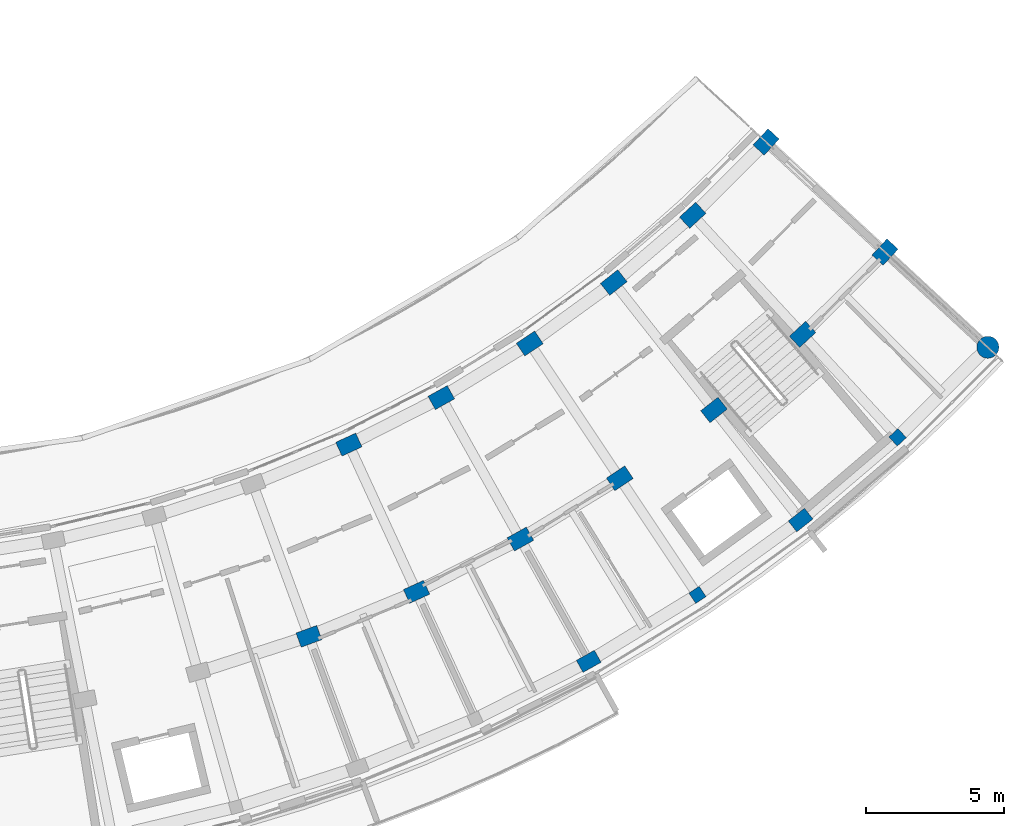
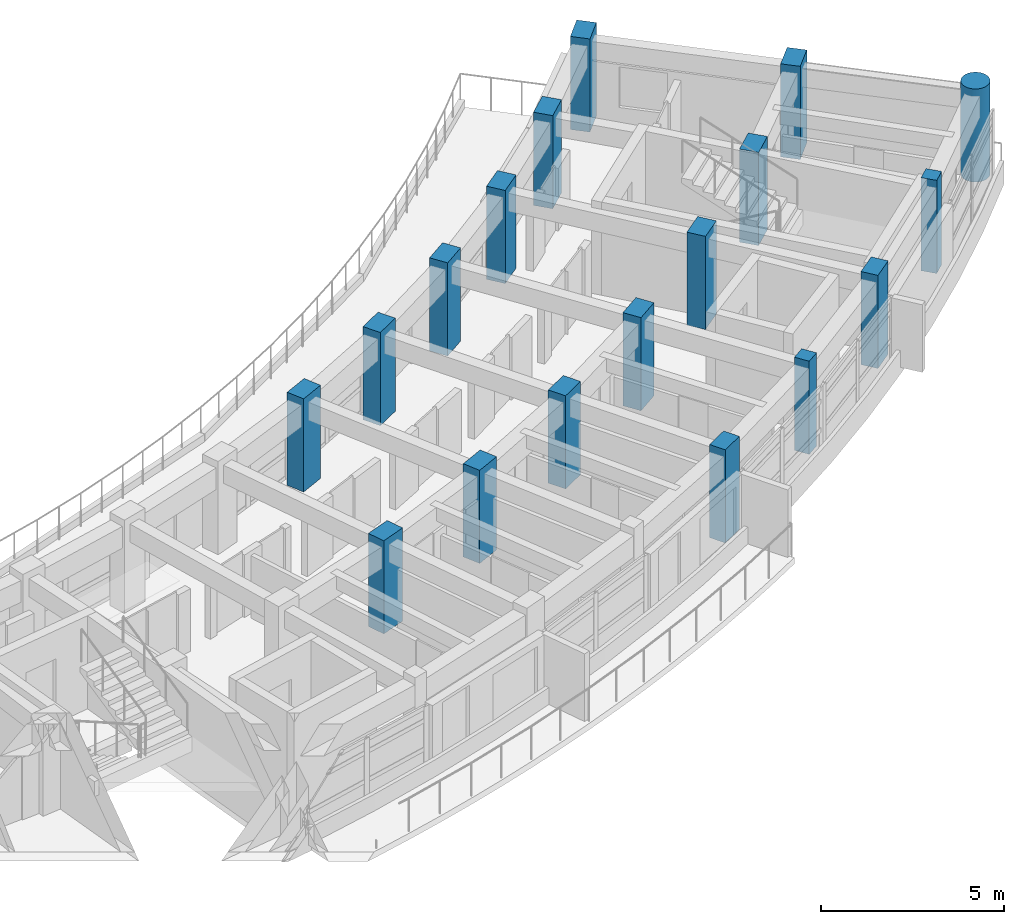
# One storey, part 2 of 54: 18 columns.
"""IFC4 building model written with IfcOpenShell, lengths in metres."""

import ifcopenshell
import ifcopenshell.guid

model = None  # the IFC model being written
_history = None  # IfcOwnerHistory: only IFC2X3 demands one
_inside = {}  # id of a spatial element -> (the spatial element, [elements in it])
_under = {}  # id of a project, library or spatial element -> (it, [spatial elements below it])
_declared = {}  # id of a project -> (the project, [libraries it declares])
_typed = {}  # id of a type object -> (the type object, [elements of that type])
_made_of = {}  # id of a material, layer set ... -> (it, [elements and type objects made of it])


def new_model(schema):
    """Start an empty IFC model of exactly this schema.

    Asked for "IFC4X3", IfcOpenShell would pick the latest addendum, in which some entities
    have other attributes; the version numbers below select the first issue.
    IFC2X3 requires an IfcOwnerHistory on every rooted entity: one is made here for all.
    """
    global model, _history
    if schema == "IFC4X3":
        model = ifcopenshell.file(schema_version=(4, 3, 0, 0))
    else:
        model = ifcopenshell.file(schema=schema)
    _inside.clear()
    _under.clear()
    _declared.clear()
    _typed.clear()
    _made_of.clear()
    _history = None
    if model.schema == "IFC2X3":
        org = make("IfcOrganization", Name="unknown")
        user = make(
            "IfcPersonAndOrganization",
            ThePerson=make("IfcPerson", FamilyName="unknown"),
            TheOrganization=org,
        )
        app = make(
            "IfcApplication",
            ApplicationDeveloper=org,
            Version="unknown",
            ApplicationFullName="unknown",
            ApplicationIdentifier="unknown",
        )
        _history = make(
            "IfcOwnerHistory",
            OwningUser=user,
            OwningApplication=app,
            ChangeAction="ADDED",
            CreationDate=0,
        )
    return model


def make(cls, **values):
    """One entity of the class cls with the attributes given. An attribute that is None is left unset."""
    return model.create_entity(
        cls, **{name: value for name, value in values.items() if value is not None}
    )


def rooted(cls, **values):
    """An entity with a GlobalId (a new one), such as an element, a storey or a relation."""
    return make(cls, GlobalId=ifcopenshell.guid.new(), OwnerHistory=_history, **values)


def si_unit(unit_type, name, prefix=None):
    """IfcSIUnit, for example si_unit("LENGTHUNIT", "METRE", prefix="MILLI")."""
    return make("IfcSIUnit", UnitType=unit_type, Prefix=prefix, Name=name)


def assignment(units):
    """IfcUnitAssignment: the units of a project."""
    return None if units is None else make("IfcUnitAssignment", Units=units)


def point(xyz):
    """IfcCartesianPoint."""
    return None if xyz is None else make("IfcCartesianPoint", Coordinates=xyz)


def direction(xyz):
    """IfcDirection."""
    return None if xyz is None else make("IfcDirection", DirectionRatios=xyz)


def frame(location, z_axis=None, x_axis=None):
    """IfcAxis2Placement3D, a coordinate frame: its origin and axes. An axis left out is left unset."""
    return make(
        "IfcAxis2Placement3D",
        Location=point(location),
        Axis=direction(z_axis),
        RefDirection=direction(x_axis),
    )


def frame_2d(location, x_axis=None):
    """IfcAxis2Placement2D, a coordinate frame in the plane: its origin and x axis."""
    return make(
        "IfcAxis2Placement2D", Location=point(location), RefDirection=direction(x_axis)
    )


def origin():
    """The frame at (0, 0, 0) with its axes left unset."""
    return frame((0.0, 0.0, 0.0))


def origin_2d():
    """The frame at (0, 0) in the plane with its x axis left unset."""
    return frame_2d((0.0, 0.0))


def place(relative_to, where):
    """IfcLocalPlacement: puts the frame where relative to a parent placement (None: the world)."""
    return make(
        "IfcLocalPlacement", PlacementRelTo=relative_to, RelativePlacement=where
    )


def context(
    kind, dimensions, precision=None, world=None, true_north=None, identifier=None
):
    """IfcGeometricRepresentationContext, for example the 3D "Model" context."""
    return make(
        "IfcGeometricRepresentationContext",
        ContextIdentifier=identifier,
        ContextType=kind,
        CoordinateSpaceDimension=dimensions,
        Precision=precision,
        WorldCoordinateSystem=world,
        TrueNorth=true_north,
    )


def subcontext(parent, identifier, kind, view, scale=None):
    """IfcGeometricRepresentationSubContext, for example "Body" below "Model"."""
    return make(
        "IfcGeometricRepresentationSubContext",
        ContextIdentifier=identifier,
        ContextType=kind,
        ParentContext=parent,
        TargetScale=scale,
        TargetView=view,
    )


def project(units=None, contexts=None):
    """IfcProject with its units and contexts."""
    return rooted(
        "IfcProject",
        Name="project",
        RepresentationContexts=contexts,
        UnitsInContext=assignment(units),
    )


def spatial(cls, under=None, at=None, **own):
    """A site, building, storey or space (cls), placed at a placement, below another one or the project."""
    s = rooted(cls, ObjectPlacement=at, **own)
    if under is not None:
        _under.setdefault(under.id(), (under, []))[1].append(s)
    return s


def profile(cls, at=None, kind="AREA", **sizes):
    """A parametric profile (cls). Its sizes go by their IFC names, for example OverallWidth=200.0."""
    return make(cls, ProfileType=kind, Position=at, **sizes)


def rectangle(**sizes):
    """IfcRectangleProfileDef."""
    return profile("IfcRectangleProfileDef", **sizes)


def circle(**sizes):
    """IfcCircleProfileDef."""
    return profile("IfcCircleProfileDef", **sizes)


def extrude(swept, where, along, depth):
    """IfcExtrudedAreaSolid: the profile swept, set in the frame where, extruded along a direction by depth."""
    return make(
        "IfcExtrudedAreaSolid",
        SweptArea=swept,
        Position=where,
        ExtrudedDirection=direction(along),
        Depth=depth,
    )


def shape(context_of_items, identifier, shape_type, items):
    """IfcShapeRepresentation: the items that make up one representation, for example the "Body"."""
    return make(
        "IfcShapeRepresentation",
        ContextOfItems=context_of_items,
        RepresentationIdentifier=identifier,
        RepresentationType=shape_type,
        Items=items,
    )


def material(Name=None, Category=None):
    """IfcMaterial."""
    return make("IfcMaterial", Name=Name, Category=Category)


def material_profile(
    of_material, cross_section, Name=None, Category=None, Priority=None
):
    """IfcMaterialProfile: a cross section and its material."""
    return make(
        "IfcMaterialProfile",
        Name=Name,
        Material=of_material,
        Profile=cross_section,
        Priority=Priority,
        Category=Category,
    )


def profile_set(profiles, Name=None, composite=None):
    """IfcMaterialProfileSet."""
    return make(
        "IfcMaterialProfileSet",
        Name=Name,
        MaterialProfiles=profiles,
        CompositeProfile=composite,
    )


def made_of(thing, what):
    """Note that an element or type object is made of a material, layer set ...; save() writes the relation."""
    if what is not None:
        _made_of.setdefault(what.id(), (what, []))[1].append(thing)
    return thing


def type_object(cls, material=None, **own):
    """A type object (cls), such as IfcWallType, which elements share."""
    return made_of(rooted(cls, **own), material)


def element(
    cls,
    number,
    at=None,
    inside=None,
    cuts=None,
    type_object=None,
    material=None,
    context=None,
    identifier="Body",
    shape_type=None,
    held_by="IfcProductDefinitionShape",
    body=None,
    shapes=None,
    **own,
):
    """One element of the class cls, such as IfcWall. Its Tag is "e" and its number.

    at: its placement. inside: the storey or other place that contains it. cuts: it is an
    opening in that element (IfcRelVoidsElement). A single representation is given by context,
    identifier, shape_type and body (its items); several are given by shapes. held_by: the class
    of the entity that holds the representations. save() writes the other relations.
    """
    e = rooted(cls, Tag="e%d" % number, ObjectPlacement=at, **own)
    if body is not None:
        shapes = [shape(context, identifier, shape_type, body)]
    if shapes is not None:
        e.Representation = make(held_by, Representations=shapes)
    if inside is not None:
        _inside.setdefault(inside.id(), (inside, []))[1].append(e)
    if cuts is not None:
        rooted(
            "IfcRelVoidsElement", RelatingBuildingElement=cuts, RelatedOpeningElement=e
        )
    if type_object is not None:
        _typed.setdefault(type_object.id(), (type_object, []))[1].append(e)
    return made_of(e, material)


def aggregate(whole, parts):
    """IfcRelAggregates: a whole, such as a stair, and the parts it consists of."""
    return rooted("IfcRelAggregates", RelatingObject=whole, RelatedObjects=parts)


def save(model, path):
    """Write the relations noted so far, then the file.

    IfcRelAggregates (storeys below a building ...), IfcRelContainedInSpatialStructure (elements
    in a storey), IfcRelDefinesByType, IfcRelAssociatesMaterial and IfcRelDeclares: one each for
    every whole, place, type object, material and project.
    """
    for whole, parts in _under.values():
        aggregate(whole, parts)
    for where, things in _inside.values():
        rooted(
            "IfcRelContainedInSpatialStructure",
            RelatedElements=things,
            RelatingStructure=where,
        )
    for kind, things in _typed.values():
        rooted("IfcRelDefinesByType", RelatedObjects=things, RelatingType=kind)
    for what, things in _made_of.values():
        rooted("IfcRelAssociatesMaterial", RelatedObjects=things, RelatingMaterial=what)
    for by, libraries in _declared.values():
        rooted("IfcRelDeclares", RelatingContext=by, RelatedDefinitions=libraries)
    model.write(path)


model = new_model("IFC4")

# Units and contexts
model_context = context("Model", 3, precision=1e-05, world=origin(), true_north=direction((0.0, 1.0)))
body_context = subcontext(model_context, "Body", "Model", "MODEL_VIEW")
ifc_project = project(units=[si_unit("LENGTHUNIT", "METRE"), si_unit("AREAUNIT", "SQUARE_METRE"), si_unit("VOLUMEUNIT", "CUBIC_METRE"), si_unit("PLANEANGLEUNIT", "RADIAN"), si_unit("MASSUNIT", "GRAM", prefix="KILO")], contexts=[model_context])

# Site, building, storey
site_placement = place(None, origin())
site = spatial("IfcSite", under=ifc_project, at=site_placement, CompositionType="ELEMENT")
building_placement = place(site_placement, origin())
building = spatial("IfcBuilding", under=site, at=building_placement, Name="Zimvara Arc Housing Community", CompositionType="ELEMENT")
storey_placement = place(building_placement, frame((0.0, 0.0, 20.5)))
storey = spatial("IfcBuildingStorey", under=building, at=storey_placement, Name="L06", CompositionType="ELEMENT", Elevation=20.5)

# Columns
ifc_material_1 = material(Name="Concrete C40/50", Category="concrete")
ifc_material_profile_1 = material_profile(ifc_material_1, rectangle(XDim=0.449951171875, YDim=0.449951171875, at=origin_2d()), Name="RC 450x450")
ifc_profile_set_1 = profile_set([ifc_material_profile_1], Name="Concrete C40/50")
column_type_1 = type_object("IfcColumnType", Name="COL-RC-450x450", PredefinedType="COLUMN", material=ifc_profile_set_1)
for number, where, z_axis, x_axis, name in (
    (1, (158.649169921875, 60.87451171875, 0.0), (0.0, 0.0, 1.0), (0.554844427448, -0.83195412213, 0.0), "col:blkD:L06:b7:r3"),
    (2, (165.91015625, 66.588134765625, 0.0), (0.0, 0.0, 1.0), (0.678159669868, -0.73491459515, 0.0), "col:blkD:L06:b9:r3"),
):
    element("IfcColumn", number, at=place(storey_placement, frame(where, z_axis=z_axis, x_axis=x_axis)), inside=storey, type_object=column_type_1, Name=name, PredefinedType="COLUMN", context=body_context, shape_type="SweptSolid", body=[
        extrude(rectangle(XDim=0.449951171875, YDim=0.449951171875, at=origin_2d()), origin(), (0.0, 0.0, 1.0), 3.10009765625),
    ])
ifc_material_2 = material(Name="Concrete C40/50", Category="concrete")
ifc_material_profile_2 = material_profile(ifc_material_2, rectangle(XDim=0.5, YDim=0.75, at=origin_2d()), Name="RC 500x750")
ifc_profile_set_2 = profile_set([ifc_material_profile_2], Name="Concrete C40/50")
column_type_2 = type_object("IfcColumnType", Name="COL-RC-500x750", PredefinedType="COLUMN", material=ifc_profile_set_2)
for number, where, z_axis, x_axis, name in (
    (3, (154.705078125, 58.46240234375, 0.0), (0.0, 0.0, 1.0), (0.487859659139, -0.87292207727, 0.0), "col:blkD:L06:b6:r3"),
    (4, (162.391845703125, 63.5888671875, 0.0), (0.0, 0.0, 1.0), (0.618408395358, -0.785856893175, 0.0), "col:blkD:L06:b8:r3"),
):
    element("IfcColumn", number, at=place(storey_placement, frame(where, z_axis=z_axis, x_axis=x_axis)), inside=storey, type_object=column_type_2, Name=name, PredefinedType="COLUMN", context=body_context, shape_type="SweptSolid", body=[
        extrude(rectangle(XDim=0.5, YDim=0.75, at=origin_2d()), origin(), (0.0, 0.0, 1.0), 3.10009765625),
    ])
ifc_material_3 = material(Name="Concrete C40/50", Category="concrete")
ifc_material_profile_3 = material_profile(ifc_material_3, rectangle(XDim=0.550048828125, YDim=0.800048828125, at=origin_2d()), Name="RC 550x800")
ifc_profile_set_3 = profile_set([ifc_material_profile_3], Name="Concrete C40/50")
column_type_3 = type_object("IfcColumnType", Name="COL-RC-550x800", PredefinedType="COLUMN", material=ifc_profile_set_3)
for number, where, z_axis, x_axis, name in (
    (5, (144.55712890625, 59.369140625, 0.0), (0.0, 0.0, 1.0), (0.345298198999, -0.93849302276, 0.0), "col:blkD:L06:b4:r2"),
    (6, (146.004150390625, 66.32421875, 0.0), (0.0, 0.0, 1.0), (0.417867073801, -0.908508177527, 0.0), "col:blkD:L06:b5:r1"),
    (7, (148.461181640625, 60.982177734375, 0.0), (0.0, 0.0, 1.0), (0.417867073801, -0.908508177527, 0.0), "col:blkD:L06:b5:r2"),
    (8, (149.358154296875, 68.029541015625, 0.0), (0.0, 0.0, 1.0), (0.487859659139, -0.87292207727, 0.0), "col:blkD:L06:b6:r1"),
    (9, (152.226806640625, 62.896728515625, 0.0), (0.0, 0.0, 1.0), (0.487859659139, -0.87292207727, 0.0), "col:blkD:L06:b6:r2"),
    (10, (152.568115234375, 69.99267578125, 0.0), (0.0, 0.0, 1.0), (0.554844427448, -0.83195412213, 0.0), "col:blkD:L06:b7:r1"),
    (11, (155.83056640625, 65.100830078125, 0.0), (0.0, 0.0, 1.0), (0.554844427448, -0.83195412213, 0.0), "col:blkD:L06:b7:r2"),
    (12, (155.614013671875, 72.20166015625, 0.0), (0.0, 0.0, 1.0), (0.618408395358, -0.785856893175, 0.0), "col:blkD:L06:b8:r1"),
    (13, (159.25048828125, 67.580810546875, 0.0), (0.0, 0.0, 1.0), (0.618408395358, -0.785856893175, 0.0), "col:blkD:L06:b8:r2"),
    (14, (158.477294921875, 74.642822265625, 0.0), (0.0, 0.0, 1.0), (0.678159669868, -0.73491459515, 0.0), "col:blkD:L06:b9:r1"),
    (15, (162.465087890625, 70.321533203125, 0.0), (0.0, 0.0, 1.0), (0.678159669868, -0.73491459515, 0.0), "col:blkD:L06:b9:r2"),
    (16, (161.140380859375, 77.30126953125, 0.0), (0.0, 0.0, 1.0), (0.733729864503, -0.679441304262, 0.0), "col:blkD:L06:b10:r1"),
    (17, (165.45458984375, 73.30615234375, 0.0), (0.0, 0.0, 1.0), (0.733729864503, -0.679441304262, 0.0), "col:blkD:L06:b10:r2"),
):
    element("IfcColumn", number, at=place(storey_placement, frame(where, z_axis=z_axis, x_axis=x_axis)), inside=storey, type_object=column_type_3, Name=name, PredefinedType="COLUMN", context=body_context, shape_type="SweptSolid", body=[
        extrude(rectangle(XDim=0.550048828125, YDim=0.800048828125, at=origin_2d()), origin(), (0.0, 0.0, 1.0), 3.10009765625),
    ])
ifc_material_4 = material(Name="Concrete C40/50", Category="concrete")
ifc_material_profile_4 = material_profile(ifc_material_4, circle(Radius=0.39990234375, at=origin_2d()), Name="RC D800")
ifc_profile_set_4 = profile_set([ifc_material_profile_4], Name="Concrete C40/50")
column_type_4 = type_object("IfcColumnType", Name="COL-RC-D700", PredefinedType="COLUMN", material=ifc_profile_set_4)
column_placement = place(storey_placement, frame((169.18212890625, 69.8544921875, 0.0), z_axis=(0.0, 0.0, 1.0), x_axis=(0.733729864503, -0.679441304262, 0.0)))
element("IfcColumn", 18, at=column_placement, inside=storey, type_object=column_type_4, Name="col:blkD:L06:b10:r3", PredefinedType="COLUMN", context=body_context, shape_type="SweptSolid", body=[
    extrude(circle(Radius=0.39990234375, at=origin_2d()), origin(), (0.0, 0.0, 1.0), 3.10009765625),
])

save(model, "model.ifc")
